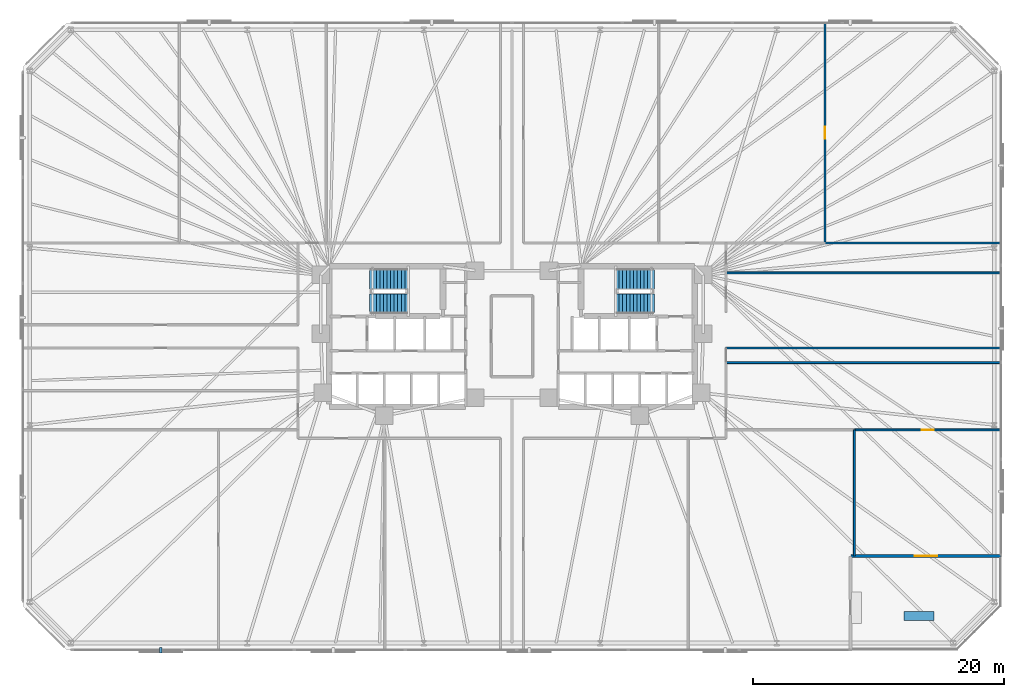
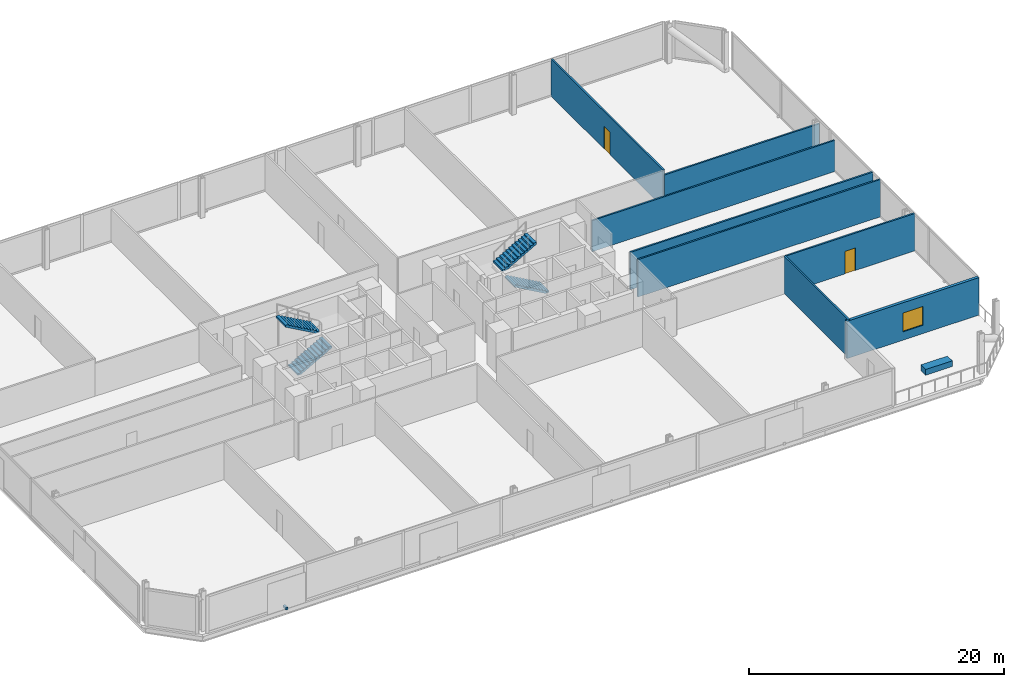
# One storey, part 15 of 17: 8 walls, 4 stair flights, 2 discrete accessories, 2 doors, 1 window, 3 openings, 2 elements without a shape of their own.
"""IFC4 building model written with IfcOpenShell, lengths in metres."""

from ifc_helpers import new_model, si_unit, direction, frame, frame_2d, origin, origin_2d, place, context, subcontext, project, spatial, polyline, rectangle, outline, extrude, material, layer, layer_set, type_object, element, fill, aggregate, save


model = new_model("IFC4")

# Units and contexts
model_context = context("Model", 3, precision=1e-05, world=origin(), true_north=direction((0.0, 1.0)))
body_context = subcontext(model_context, "Body", "Model", "MODEL_VIEW")
ifc_project = project(units=[si_unit("LENGTHUNIT", "METRE"), si_unit("AREAUNIT", "SQUARE_METRE"), si_unit("VOLUMEUNIT", "CUBIC_METRE"), si_unit("PLANEANGLEUNIT", "RADIAN"), si_unit("MASSUNIT", "GRAM", prefix="KILO")], contexts=[model_context])

# Site, building, storey
site_placement = place(None, origin())
site = spatial("IfcSite", under=ifc_project, at=site_placement, CompositionType="ELEMENT")
building_placement = place(site_placement, origin())
building = spatial("IfcBuilding", under=site, at=building_placement, Name="Menara Jurai Vektor", CompositionType="ELEMENT")
storey_placement = place(building_placement, frame((0.0, 0.0, 44.60009765625)))
storey = spatial("IfcBuildingStorey", under=building, at=storey_placement, Name="L10", CompositionType="ELEMENT", Elevation=44.60009765625)

# Wall, opening, window
ifc_material_1 = material(Name="Insulated Pale Aluminium Terrace Wall", Category="aluminium")
ifc_layer_1 = layer(ifc_material_1, 0.260009765625)
ifc_layer_set_1 = layer_set([ifc_layer_1], Name="Insulated Pale Aluminium Terrace Wall")
wall_type_1 = type_object("IfcWallType", Name="ENV-WALL-EXT260", PredefinedType="STANDARD", material=ifc_layer_set_1)
wall_1_placement = place(storey_placement, frame((27.030029296875, -17.5, 0.0), z_axis=(0.0, 0.0, 1.0), x_axis=(1.0, 0.0, 0.0)))
wall_1 = element("IfcWall", 1, at=wall_1_placement, inside=storey, type_object=wall_type_1, Name="Recessed Sky Terrace Wall L10-02", PredefinedType="STANDARD", context=body_context, shape_type="SweptSolid", body=[
    extrude(rectangle(XDim=11.93994140625, YDim=0.260009765625, at=frame_2d((5.969970703125, 0.0))), origin(), (0.0, 0.0, 1.0), 3.574951171875),
])
opening_1_placement = place(wall_1_placement, frame((5.070068359375, 0.0, 0.800048828125)))
opening_1 = element("IfcOpeningElement", 2, at=opening_1_placement, cuts=wall_1, Name="Opening TW-18", PredefinedType="OPENING", context=body_context, shape_type="SweptSolid", body=[
    extrude(rectangle(XDim=1.800048828125, YDim=1.800048828125, at=frame_2d((0.89990234375, 0.89990234375))), frame((0.0, 0.14013671875, 0.0), z_axis=(0.0, -1.0, 0.0), x_axis=(1.0, 0.0, 0.0)), (0.0, 0.0, 1.0), 0.280029296875),
])
ifc_material_2 = material(Name="Low-E Double Glazed Pale Aluminium Window", Category="aluminium")
window_type = type_object("IfcWindowType", Name="ENV-WIN-TER180", PartitioningType="SINGLE_PANEL", PredefinedType="WINDOW", material=ifc_material_2)
window_placement = place(opening_1_placement, origin())
window = element("IfcWindow", 3, at=window_placement, inside=storey, type_object=window_type, Name="Spiral Terrace Outlook Window L10", OverallHeight=1.800048828125, OverallWidth=1.800048828125, PartitioningType="SINGLE_PANEL", PredefinedType="WINDOW", context=body_context, shape_type="SweptSolid", body=[
    extrude(rectangle(XDim=1.800048828125, YDim=1.800048828125, at=frame_2d((0.89990234375, 0.89990234375))), frame((0.0, 0.030029296875, 0.0), z_axis=(0.0, -1.0, 0.0), x_axis=(1.0, 0.0, 0.0)), (0.0, 0.0, 1.0), 0.06005859375),
])
fill(opening_1, window)

# Wall
ifc_material_3 = material(Name="Gypsum Fireboard Partition", Category="gypsum")
ifc_layer_2 = layer(ifc_material_3, 0.14990234375)
ifc_layer_set_2 = layer_set([ifc_layer_2], Name="Gypsum Fireboard Partition")
wall_type_2 = type_object("IfcWallType", Name="INT-WALL-CORR-150", PredefinedType="PARTITIONING", material=ifc_layer_set_2)
wall_2_placement = place(storey_placement, frame((17.05908203125, -0.919921875, 0.0), z_axis=(0.0, 0.0, 1.0), x_axis=(1.0, 0.0, 0.0)))
element("IfcWall", 4, at=wall_2_placement, inside=storey, type_object=wall_type_2, Name="Interior Wall IW-150 L10", PredefinedType="PARTITIONING", context=body_context, shape_type="SweptSolid", body=[
    extrude(rectangle(XDim=21.94091796875, YDim=0.14990234375, at=frame_2d((10.970458984375, 0.0))), origin(), (0.0, 0.0, 1.0), 3.574951171875),
])

# Wall, opening, door
wall_3_placement = place(storey_placement, frame((24.9599609375, 7.449951171875, 0.0), z_axis=(0.0, 0.0, 1.0), x_axis=(0.0, 1.0, 0.0)))
wall_3 = element("IfcWall", 5, at=wall_3_placement, inside=storey, type_object=wall_type_2, Name="Interior Wall IW-150 L10", PredefinedType="PARTITIONING", context=body_context, shape_type="SweptSolid", body=[
    extrude(rectangle(XDim=17.550048828125, YDim=0.14990234375, at=frame_2d((8.77490234375, 0.0))), origin(), (0.0, 0.0, 1.0), 3.574951171875),
])
opening_2_placement = place(wall_3_placement, frame((8.300048828125, 0.0, 0.0)))
opening_2 = element("IfcOpeningElement", 6, at=opening_2_placement, cuts=wall_3, Name="Opening D10-21", PredefinedType="OPENING", context=body_context, shape_type="SweptSolid", body=[
    extrude(rectangle(XDim=0.949951171875, YDim=2.14990234375, at=frame_2d((0.47509765625, 1.074951171875))), frame((0.0, 0.0849609375, 0.0), z_axis=(0.0, -1.0, 0.0), x_axis=(1.0, 0.0, 0.0)), (0.0, 0.0, 1.0), 0.169921875),
])
ifc_material_4 = material(Name="Solid Core Timber Fire Door", Category="wood")
door_type = type_object("IfcDoorType", Name="DR-ENTRY-950", OperationType="NOTDEFINED", PredefinedType="DOOR", material=ifc_material_4)
door_1_placement = place(opening_2_placement, origin())
door_1 = element("IfcDoor", 7, at=door_1_placement, inside=storey, type_object=door_type, Name="Interior Door D10-21", OperationType="SINGLE_SWING_RIGHT", OverallHeight=2.14990234375, OverallWidth=0.949951171875, PredefinedType="DOOR", context=body_context, shape_type="SweptSolid", body=[
    extrude(rectangle(XDim=0.949951171875, YDim=2.14990234375, at=frame_2d((0.47509765625, 1.074951171875))), frame((0.0, 0.02490234375, 0.0), z_axis=(0.0, -1.0, 0.0), x_axis=(1.0, 0.0, 0.0)), (0.0, 0.0, 1.0), 0.050048828125),
])
fill(opening_2, door_1)

# Wall
wall_4_placement = place(storey_placement, frame((27.300048828125, -17.5, 0.0), z_axis=(0.0, 0.0, 1.0), x_axis=(0.0, 1.0, 0.0)))
element("IfcWall", 8, at=wall_4_placement, inside=storey, type_object=wall_type_2, Name="Interior Wall IW-150 L10", PredefinedType="PARTITIONING", context=body_context, shape_type="SweptSolid", body=[
    extrude(rectangle(XDim=10.050048828125, YDim=0.14990234375, at=frame_2d((5.02490234375, 0.0))), origin(), (0.0, 0.0, 1.0), 3.574951171875),
])

# Wall, opening, door
wall_5_placement = place(storey_placement, frame((27.300048828125, -7.449951171875, 0.0), z_axis=(0.0, 0.0, 1.0), x_axis=(1.0, 0.0, 0.0)))
wall_5 = element("IfcWall", 9, at=wall_5_placement, inside=storey, type_object=wall_type_2, Name="Interior Wall IW-150 L10", PredefinedType="PARTITIONING", context=body_context, shape_type="SweptSolid", body=[
    extrude(rectangle(XDim=11.699951171875, YDim=0.14990234375, at=frame_2d((5.85009765625, 0.0))), origin(), (0.0, 0.0, 1.0), 3.574951171875),
])
opening_3_placement = place(wall_5_placement, frame((5.375, 0.0, 0.0)))
opening_3 = element("IfcOpeningElement", 10, at=opening_3_placement, cuts=wall_5, Name="Opening D10-23", PredefinedType="OPENING", context=body_context, shape_type="SweptSolid", body=[
    extrude(rectangle(XDim=0.949951171875, YDim=2.14990234375, at=frame_2d((0.47509765625, 1.074951171875))), frame((0.0, 0.0849609375, 0.0), z_axis=(0.0, -1.0, 0.0), x_axis=(1.0, 0.0, 0.0)), (0.0, 0.0, 1.0), 0.169921875),
])
door_2_placement = place(opening_3_placement, origin())
door_2 = element("IfcDoor", 11, at=door_2_placement, inside=storey, type_object=door_type, Name="Interior Door D10-23", OperationType="SINGLE_SWING_RIGHT", OverallHeight=2.14990234375, OverallWidth=0.949951171875, PredefinedType="DOOR", context=body_context, shape_type="SweptSolid", body=[
    extrude(rectangle(XDim=0.949951171875, YDim=2.14990234375, at=frame_2d((0.47509765625, 1.074951171875))), frame((0.0, 0.02490234375, 0.0), z_axis=(0.0, -1.0, 0.0), x_axis=(1.0, 0.0, 0.0)), (0.0, 0.0, 1.0), 0.050048828125),
])
fill(opening_3, door_2)

# Walls
wall_6_placement = place(storey_placement, frame((17.05908203125, -2.0859375, 0.0), z_axis=(0.0, 0.0, 1.0), x_axis=(1.0, 0.0, 0.0)))
element("IfcWall", 12, at=wall_6_placement, inside=storey, type_object=wall_type_2, Name="Interior Wall IW-150 L10", PredefinedType="PARTITIONING", context=body_context, shape_type="SweptSolid", body=[
    extrude(rectangle(XDim=21.94091796875, YDim=0.14990234375, at=frame_2d((10.970458984375, 0.0))), origin(), (0.0, 0.0, 1.0), 3.574951171875),
])
ifc_layer_3 = layer(ifc_material_3, 0.14990234375)
ifc_layer_set_3 = layer_set([ifc_layer_3], Name="Gypsum Fireboard Partition")
wall_type_3 = type_object("IfcWallType", Name="INT-WALL-CORR-150-H1", PredefinedType="PARTITIONING", material=ifc_layer_set_3)
wall_7_placement = place(storey_placement, frame((24.9599609375, 7.449951171875, 0.0), z_axis=(0.0, 0.0, 1.0), x_axis=(1.0, 0.0, 0.0)))
element("IfcWall", 13, at=wall_7_placement, inside=storey, type_object=wall_type_3, Name="Interior Wall IW-150 L10", PredefinedType="PARTITIONING", context=body_context, shape_type="SweptSolid", body=[
    extrude(rectangle(XDim=14.0400390625, YDim=0.14990234375, at=frame_2d((7.02001953125, 0.0))), origin(), (0.0, 0.0, 1.0), 3.125),
])
ifc_layer_4 = layer(ifc_material_3, 0.14990234375)
ifc_layer_set_4 = layer_set([ifc_layer_4], Name="Gypsum Fireboard Partition")
wall_type_4 = type_object("IfcWallType", Name="INT-WALL-CORR-150-H2", PredefinedType="PARTITIONING", material=ifc_layer_set_4)
wall_8_placement = place(storey_placement, frame((17.05908203125, 5.06591796875, 0.0), z_axis=(0.0, 0.0, 1.0), x_axis=(1.0, 0.0, 0.0)))
element("IfcWall", 14, at=wall_8_placement, inside=storey, type_object=wall_type_4, Name="Interior Wall IW-150 L10", PredefinedType="PARTITIONING", context=body_context, shape_type="SweptSolid", body=[
    extrude(rectangle(XDim=21.94091796875, YDim=0.14990234375, at=frame_2d((10.970458984375, 0.0))), origin(), (0.0, 0.0, 1.0), 2.974853515625),
])

# Stair, stair flights
ifc_material_5 = material(Name="Concrete C40/50", Category="concrete")
stair_type = type_object("IfcStairType", Name="STAIR-DOGLEG-1500", PredefinedType="HALF_TURN_STAIR", material=ifc_material_5)
stair_1_placement = place(storey_placement, origin())
stair_1 = element("IfcStair", 15, at=stair_1_placement, inside=storey, type_object=stair_type, Name="Protected Exit Stair ST1 L10", PredefinedType="HALF_TURN_STAIR")
stair_flight_type = type_object("IfcStairFlightType", Name="STAIR-FLIGHT-1500", PredefinedType="STRAIGHT", material=ifc_material_5)
stair_flight_1_placement = place(storey_placement, frame((-11.35009765625, 2.64990234375, 0.0), z_axis=(0.0, 0.0, 1.0), x_axis=(1.0, 0.0, 0.0)))
stair_flight_1 = element("IfcStairFlight", 16, at=stair_flight_1_placement, type_object=stair_flight_type, Name="ST1 flight 1", NumberOfRisers=12, NumberOfTreads=11, PredefinedType="STRAIGHT", RiserHeight=0.158333, TreadLength=0.28, context=body_context, shape_type="SweptSolid", body=[
    extrude(outline(polyline([(0.0, 0.0), (0.0, 0.158447265625), (0.280029296875, 0.158447265625), (0.280029296875, 0.316650390625), (0.56005859375, 0.316650390625), (0.56005859375, 0.47509765625), (0.840087890625, 0.47509765625), (0.840087890625, 0.63330078125), (1.1201171875, 0.63330078125), (1.1201171875, 0.791748046875), (1.39990234375, 0.791748046875), (1.39990234375, 0.949951171875), (1.679931640625, 0.949951171875), (1.679931640625, 1.1083984375), (1.9599609375, 1.1083984375), (1.9599609375, 1.2666015625), (2.239990234375, 1.2666015625), (2.239990234375, 1.425048828125), (2.52001953125, 1.425048828125), (2.52001953125, 1.583251953125), (2.800048828125, 1.583251953125), (2.800048828125, 1.74169921875), (3.080078125, 1.74169921875), (3.080078125, 1.89990234375), (3.080078125, 1.557861328125), (0.324951171875, 0.0), (0.0, 0.0)])), frame((0.0, 0.75, 0.0), z_axis=(0.0, -1.0, 0.0), x_axis=(1.0, 0.0, 0.0)), (0.0, 0.0, 1.0), 1.5),
])
stair_flight_2_placement = place(storey_placement, frame((-8.27001953125, 4.550048828125, 1.89990234375), z_axis=(0.0, 0.0, 1.0), x_axis=(-1.0, 0.0, 0.0)))
stair_flight_2 = element("IfcStairFlight", 17, at=stair_flight_2_placement, type_object=stair_flight_type, Name="ST1 flight 2", NumberOfRisers=12, NumberOfTreads=11, PredefinedType="STRAIGHT", RiserHeight=0.158333, TreadLength=0.28, context=body_context, shape_type="SweptSolid", body=[
    extrude(outline(polyline([(0.0, 0.0), (0.0, 0.158447265625), (0.280029296875, 0.158447265625), (0.280029296875, 0.316650390625), (0.56005859375, 0.316650390625), (0.56005859375, 0.47509765625), (0.840087890625, 0.47509765625), (0.840087890625, 0.63330078125), (1.1201171875, 0.63330078125), (1.1201171875, 0.791748046875), (1.39990234375, 0.791748046875), (1.39990234375, 0.949951171875), (1.679931640625, 0.949951171875), (1.679931640625, 1.1083984375), (1.9599609375, 1.1083984375), (1.9599609375, 1.2666015625), (2.239990234375, 1.2666015625), (2.239990234375, 1.425048828125), (2.52001953125, 1.425048828125), (2.52001953125, 1.583251953125), (2.800048828125, 1.583251953125), (2.800048828125, 1.74169921875), (3.080078125, 1.74169921875), (3.080078125, 1.89990234375), (3.080078125, 1.557861328125), (0.324951171875, 0.0), (0.0, 0.0)])), frame((0.0, 0.75, 0.0), z_axis=(0.0, -1.0, 0.0), x_axis=(1.0, 0.0, 0.0)), (0.0, 0.0, 1.0), 1.5),
])
aggregate(stair_1, [stair_flight_1, stair_flight_2])

stair_2_placement = place(storey_placement, origin())
stair_2 = element("IfcStair", 18, at=stair_2_placement, inside=storey, type_object=stair_type, Name="Protected Exit Stair ST2 L10", PredefinedType="HALF_TURN_STAIR")
stair_flight_3_placement = place(storey_placement, frame((11.35009765625, 2.64990234375, 0.0), z_axis=(0.0, 0.0, 1.0), x_axis=(-1.0, 0.0, 0.0)))
stair_flight_3 = element("IfcStairFlight", 19, at=stair_flight_3_placement, type_object=stair_flight_type, Name="ST2 flight 1", NumberOfRisers=12, NumberOfTreads=11, PredefinedType="STRAIGHT", RiserHeight=0.158333, TreadLength=0.28, context=body_context, shape_type="SweptSolid", body=[
    extrude(outline(polyline([(0.0, 0.0), (0.0, 0.158447265625), (0.280029296875, 0.158447265625), (0.280029296875, 0.316650390625), (0.56005859375, 0.316650390625), (0.56005859375, 0.47509765625), (0.840087890625, 0.47509765625), (0.840087890625, 0.63330078125), (1.1201171875, 0.63330078125), (1.1201171875, 0.791748046875), (1.39990234375, 0.791748046875), (1.39990234375, 0.949951171875), (1.679931640625, 0.949951171875), (1.679931640625, 1.1083984375), (1.9599609375, 1.1083984375), (1.9599609375, 1.2666015625), (2.239990234375, 1.2666015625), (2.239990234375, 1.425048828125), (2.52001953125, 1.425048828125), (2.52001953125, 1.583251953125), (2.800048828125, 1.583251953125), (2.800048828125, 1.74169921875), (3.080078125, 1.74169921875), (3.080078125, 1.89990234375), (3.080078125, 1.557861328125), (0.324951171875, 0.0), (0.0, 0.0)])), frame((0.0, 0.75, 0.0), z_axis=(0.0, -1.0, 0.0), x_axis=(1.0, 0.0, 0.0)), (0.0, 0.0, 1.0), 1.5),
])
stair_flight_4_placement = place(storey_placement, frame((8.27001953125, 4.550048828125, 1.89990234375), z_axis=(0.0, 0.0, 1.0), x_axis=(1.0, 0.0, 0.0)))
stair_flight_4 = element("IfcStairFlight", 20, at=stair_flight_4_placement, type_object=stair_flight_type, Name="ST2 flight 2", NumberOfRisers=12, NumberOfTreads=11, PredefinedType="STRAIGHT", RiserHeight=0.158333, TreadLength=0.28, context=body_context, shape_type="SweptSolid", body=[
    extrude(outline(polyline([(0.0, 0.0), (0.0, 0.158447265625), (0.280029296875, 0.158447265625), (0.280029296875, 0.316650390625), (0.56005859375, 0.316650390625), (0.56005859375, 0.47509765625), (0.840087890625, 0.47509765625), (0.840087890625, 0.63330078125), (1.1201171875, 0.63330078125), (1.1201171875, 0.791748046875), (1.39990234375, 0.791748046875), (1.39990234375, 0.949951171875), (1.679931640625, 0.949951171875), (1.679931640625, 1.1083984375), (1.9599609375, 1.1083984375), (1.9599609375, 1.2666015625), (2.239990234375, 1.2666015625), (2.239990234375, 1.425048828125), (2.52001953125, 1.425048828125), (2.52001953125, 1.583251953125), (2.800048828125, 1.583251953125), (2.800048828125, 1.74169921875), (3.080078125, 1.74169921875), (3.080078125, 1.89990234375), (3.080078125, 1.557861328125), (0.324951171875, 0.0), (0.0, 0.0)])), frame((0.0, 0.75, 0.0), z_axis=(0.0, -1.0, 0.0), x_axis=(1.0, 0.0, 0.0)), (0.0, 0.0, 1.0), 1.5),
])
aggregate(stair_2, [stair_flight_3, stair_flight_4])

# Discrete accessories
ifc_material_6 = material(Name="Steel S355", Category="steel")
discrete_accessory_type_1 = type_object("IfcDiscreteAccessoryType", Name="ENV-ACC-BRACKET", PredefinedType="BRACKET", material=ifc_material_6)
discrete_accessory_1_placement = place(storey_placement, frame((-28.0, -25.010009765625, -0.1298828125), z_axis=(0.0, 0.0, 1.0), x_axis=(1.0, 0.0, 0.0)))
element("IfcDiscreteAccessory", 21, at=discrete_accessory_1_placement, inside=storey, type_object=discrete_accessory_type_1, Name="Solar Screen Stand-Off Bracket L10-S11", PredefinedType="BRACKET", context=body_context, shape_type="SweptSolid", body=[
    extrude(rectangle(XDim=0.179931640625, YDim=0.43994140625, at=origin_2d()), origin(), (0.0, 0.0, 1.0), 0.219970703125),
])
ifc_material_7 = material(Name="Concrete C40/50 precast", Category="concrete")
discrete_accessory_type_2 = type_object("IfcDiscreteAccessoryType", Name="ENV-ACC-PLANTER", PredefinedType="USERDEFINED", material=ifc_material_7)
discrete_accessory_2_placement = place(storey_placement, frame((32.44775390625, -22.29541015625, 0.0), z_axis=(0.0, 0.0, 1.0), x_axis=(1.0, 0.0, 0.0)))
element("IfcDiscreteAccessory", 22, at=discrete_accessory_2_placement, inside=storey, type_object=discrete_accessory_type_2, Name="Spiral Terrace Planter Box L10-CRN", ObjectType="PLANTER", PredefinedType="USERDEFINED", context=body_context, shape_type="SweptSolid", body=[
    extrude(rectangle(XDim=2.39990234375, YDim=0.75, at=origin_2d()), origin(), (0.0, 0.0, 1.0), 0.550048828125),
])

save(model, "model.ifc")
